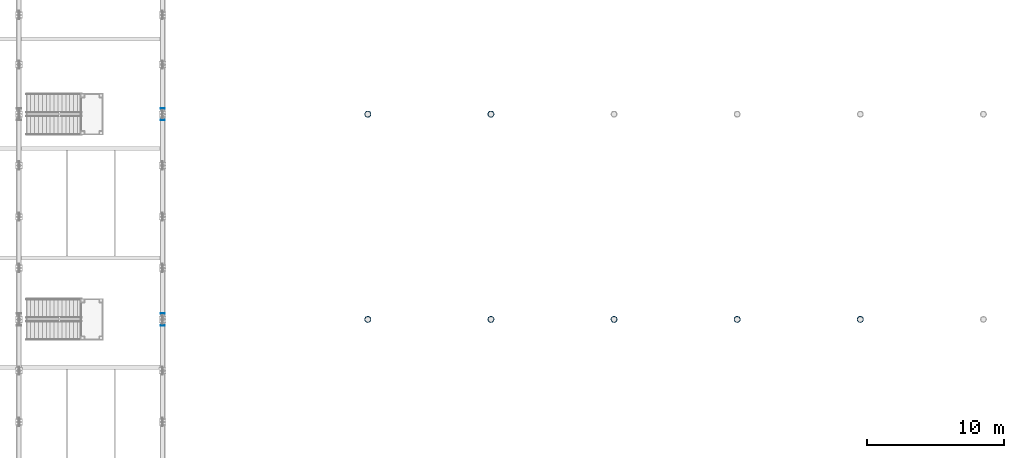
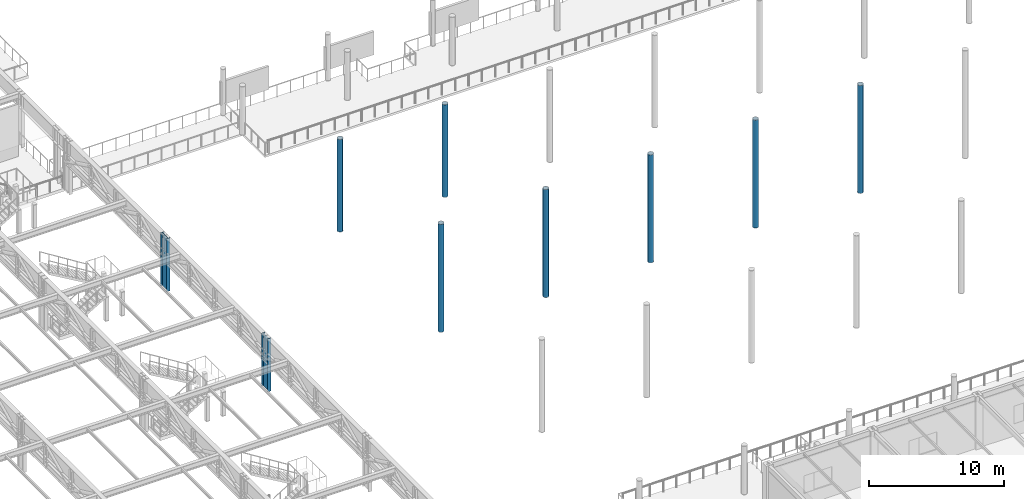
# One storey, part 21 of 143: 9 columns.
"""IFC4 building model written with IfcOpenShell, lengths in metres."""

from ifc_helpers import new_model, si_unit, direction, frame, origin, origin_2d, place, context, subcontext, project, spatial, hollow_circle, i_section, extrude, material, material_profile, profile_set, type_object, element, save


model = new_model("IFC4")

# Units and contexts
model_context = context("Model", 3, precision=1e-05, world=origin(), true_north=direction((0.0, 1.0)))
body_context = subcontext(model_context, "Body", "Model", "MODEL_VIEW")
ifc_project = project(units=[si_unit("LENGTHUNIT", "METRE"), si_unit("AREAUNIT", "SQUARE_METRE"), si_unit("VOLUMEUNIT", "CUBIC_METRE"), si_unit("PLANEANGLEUNIT", "RADIAN"), si_unit("MASSUNIT", "GRAM", prefix="KILO")], contexts=[model_context])

# Site, building, storey
site_placement = place(None, origin())
site = spatial("IfcSite", under=ifc_project, at=site_placement, CompositionType="ELEMENT")
building_placement = place(site_placement, origin())
building = spatial("IfcBuilding", under=site, at=building_placement, Name="Marlcrest Central Station", CompositionType="ELEMENT")
storey_placement = place(building_placement, frame((0.0, 0.0, 4.800048828125)))
storey = spatial("IfcBuildingStorey", under=building, at=storey_placement, Name="L01", CompositionType="ELEMENT", Elevation=4.800048828125)

# Columns
ifc_material = material(Name="Steel S355", Category="steel")
ifc_material_profile_1 = material_profile(ifc_material, i_section(OverallWidth=0.300048828125, OverallDepth=0.89990234375, WebThickness=0.0185546875, FlangeThickness=0.034912109375, FilletRadius=0.030029296875, at=origin_2d()), Name="HEB 900")
ifc_profile_set_1 = profile_set([ifc_material_profile_1], Name="Steel S355")
column_type_1 = type_object("IfcColumnType", Name="SC-09", PredefinedType="COLUMN", material=ifc_profile_set_1)
for number, where, z_axis, x_axis, name in (
    (1, (129.0, 66.0, 0.0), (0.0, 0.0, 1.0), (1.0, 0.0, 0.0), "col-SC-09-L01-0662"),
    (2, (129.0, 81.0, 0.0), (0.0, 0.0, 1.0), (1.0, 0.0, 0.0), "col-SC-09-L01-0664"),
):
    element("IfcColumn", number, at=place(storey_placement, frame(where, z_axis=z_axis, x_axis=x_axis)), inside=storey, type_object=column_type_1, Name=name, PredefinedType="COLUMN", context=body_context, shape_type="SweptSolid", body=[
        extrude(i_section(OverallWidth=0.300048828125, OverallDepth=0.89990234375, WebThickness=0.0185546875, FlangeThickness=0.034912109375, FilletRadius=0.030029296875, at=origin_2d()), origin(), (0.0, 0.0, 1.0), 4.81494140625),
    ])
ifc_material_profile_2 = material_profile(ifc_material, hollow_circle(Radius=0.228515625, WallThickness=0.02001953125, at=origin_2d()), Name="CHS 457x20")
ifc_profile_set_2 = profile_set([ifc_material_profile_2], Name="Steel S355")
column_type_2 = type_object("IfcColumnType", Name="SC-11", PredefinedType="COLUMN", material=ifc_profile_set_2)
column_1_placement = place(storey_placement, frame((144.0, 66.0, 0.0), z_axis=(0.0, 0.0, 1.0), x_axis=(1.0, 0.0, 0.0)))
element("IfcColumn", 3, at=column_1_placement, inside=storey, type_object=column_type_2, Name="col-SC-11-L01-0517", PredefinedType="COLUMN", context=body_context, shape_type="SweptSolid", body=[
    extrude(hollow_circle(Radius=0.228515625, WallThickness=0.02001953125, at=origin_2d()), origin(), (0.0, 0.0, 1.0), 9.800048828125),
])
column_2_placement = place(storey_placement, frame((144.0, 81.0, 0.0), z_axis=(0.0, 0.0, 1.0), x_axis=(1.0, 0.0, 0.0)))
element("IfcColumn", 4, at=column_2_placement, inside=storey, type_object=column_type_2, Name="col-SC-11-L01-0519", PredefinedType="COLUMN", context=body_context, shape_type="SweptSolid", body=[
    extrude(hollow_circle(Radius=0.228515625, WallThickness=0.02001953125, at=origin_2d()), origin(), (0.0, 0.0, 1.0), 8.40380859375),
])
column_3_placement = place(storey_placement, frame((153.0, 66.0, 0.0), z_axis=(0.0, 0.0, 1.0), x_axis=(1.0, 0.0, 0.0)))
element("IfcColumn", 5, at=column_3_placement, inside=storey, type_object=column_type_2, Name="col-SC-11-L01-0528", PredefinedType="COLUMN", context=body_context, shape_type="SweptSolid", body=[
    extrude(hollow_circle(Radius=0.228515625, WallThickness=0.02001953125, at=origin_2d()), origin(), (0.0, 0.0, 1.0), 9.800048828125),
])
column_4_placement = place(storey_placement, frame((153.0, 81.0, 0.0), z_axis=(0.0, 0.0, 1.0), x_axis=(1.0, 0.0, 0.0)))
element("IfcColumn", 6, at=column_4_placement, inside=storey, type_object=column_type_2, Name="col-SC-11-L01-0530", PredefinedType="COLUMN", context=body_context, shape_type="SweptSolid", body=[
    extrude(hollow_circle(Radius=0.228515625, WallThickness=0.02001953125, at=origin_2d()), origin(), (0.0, 0.0, 1.0), 8.40380859375),
])
for number, where, z_axis, x_axis, name in (
    (7, (162.0, 66.0, 0.0), (0.0, 0.0, 1.0), (1.0, 0.0, 0.0), "col-SC-11-L01-0539"),
    (8, (171.0, 66.0, 0.0), (0.0, 0.0, 1.0), (1.0, 0.0, 0.0), "col-SC-11-L01-0550"),
    (9, (180.0, 66.0, 0.0), (0.0, 0.0, 1.0), (1.0, 0.0, 0.0), "col-SC-11-L01-0561"),
):
    element("IfcColumn", number, at=place(storey_placement, frame(where, z_axis=z_axis, x_axis=x_axis)), inside=storey, type_object=column_type_2, Name=name, PredefinedType="COLUMN", context=body_context, shape_type="SweptSolid", body=[
        extrude(hollow_circle(Radius=0.228515625, WallThickness=0.02001953125, at=origin_2d()), origin(), (0.0, 0.0, 1.0), 9.800048828125),
    ])

save(model, "model.ifc")
